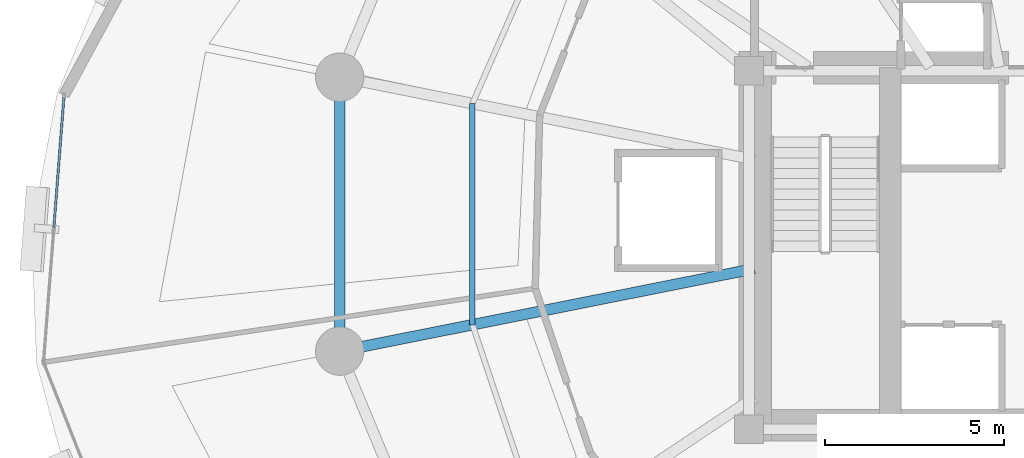
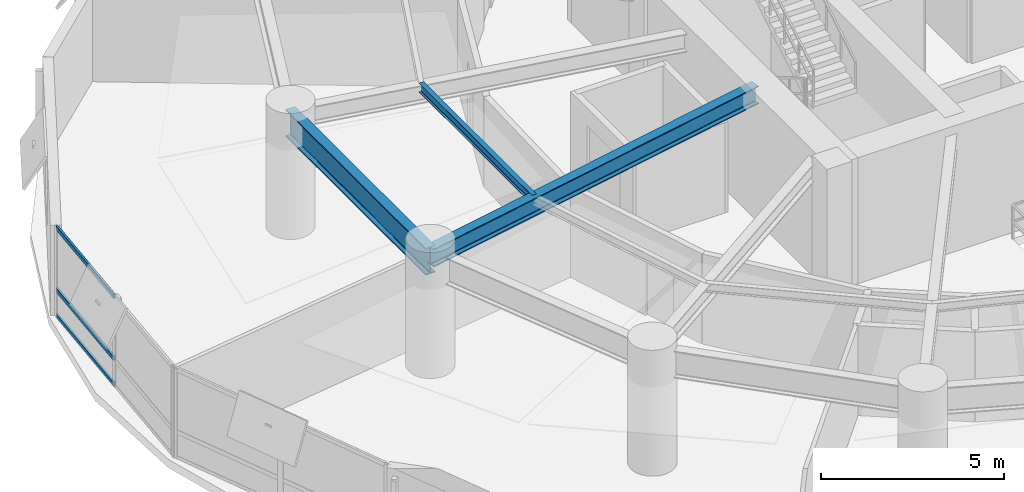
# One storey, part 5 of 17: 3 beams, 3 members, 1 element without a shape of its own.
"""IFC4 building model written with IfcOpenShell, lengths in metres."""

import ifcopenshell
import ifcopenshell.guid

model = None  # the IFC model being written
_history = None  # IfcOwnerHistory: only IFC2X3 demands one
_inside = {}  # id of a spatial element -> (the spatial element, [elements in it])
_under = {}  # id of a project, library or spatial element -> (it, [spatial elements below it])
_declared = {}  # id of a project -> (the project, [libraries it declares])
_typed = {}  # id of a type object -> (the type object, [elements of that type])
_made_of = {}  # id of a material, layer set ... -> (it, [elements and type objects made of it])


def new_model(schema):
    """Start an empty IFC model of exactly this schema.

    Asked for "IFC4X3", IfcOpenShell would pick the latest addendum, in which some entities
    have other attributes; the version numbers below select the first issue.
    IFC2X3 requires an IfcOwnerHistory on every rooted entity: one is made here for all.
    """
    global model, _history
    if schema == "IFC4X3":
        model = ifcopenshell.file(schema_version=(4, 3, 0, 0))
    else:
        model = ifcopenshell.file(schema=schema)
    _inside.clear()
    _under.clear()
    _declared.clear()
    _typed.clear()
    _made_of.clear()
    _history = None
    if model.schema == "IFC2X3":
        org = make("IfcOrganization", Name="unknown")
        user = make(
            "IfcPersonAndOrganization",
            ThePerson=make("IfcPerson", FamilyName="unknown"),
            TheOrganization=org,
        )
        app = make(
            "IfcApplication",
            ApplicationDeveloper=org,
            Version="unknown",
            ApplicationFullName="unknown",
            ApplicationIdentifier="unknown",
        )
        _history = make(
            "IfcOwnerHistory",
            OwningUser=user,
            OwningApplication=app,
            ChangeAction="ADDED",
            CreationDate=0,
        )
    return model


def make(cls, **values):
    """One entity of the class cls with the attributes given. An attribute that is None is left unset."""
    return model.create_entity(
        cls, **{name: value for name, value in values.items() if value is not None}
    )


def rooted(cls, **values):
    """An entity with a GlobalId (a new one), such as an element, a storey or a relation."""
    return make(cls, GlobalId=ifcopenshell.guid.new(), OwnerHistory=_history, **values)


def si_unit(unit_type, name, prefix=None):
    """IfcSIUnit, for example si_unit("LENGTHUNIT", "METRE", prefix="MILLI")."""
    return make("IfcSIUnit", UnitType=unit_type, Prefix=prefix, Name=name)


def assignment(units):
    """IfcUnitAssignment: the units of a project."""
    return None if units is None else make("IfcUnitAssignment", Units=units)


def point(xyz):
    """IfcCartesianPoint."""
    return None if xyz is None else make("IfcCartesianPoint", Coordinates=xyz)


def direction(xyz):
    """IfcDirection."""
    return None if xyz is None else make("IfcDirection", DirectionRatios=xyz)


def frame(location, z_axis=None, x_axis=None):
    """IfcAxis2Placement3D, a coordinate frame: its origin and axes. An axis left out is left unset."""
    return make(
        "IfcAxis2Placement3D",
        Location=point(location),
        Axis=direction(z_axis),
        RefDirection=direction(x_axis),
    )


def frame_2d(location, x_axis=None):
    """IfcAxis2Placement2D, a coordinate frame in the plane: its origin and x axis."""
    return make(
        "IfcAxis2Placement2D", Location=point(location), RefDirection=direction(x_axis)
    )


def origin():
    """The frame at (0, 0, 0) with its axes left unset."""
    return frame((0.0, 0.0, 0.0))


def origin_2d():
    """The frame at (0, 0) in the plane with its x axis left unset."""
    return frame_2d((0.0, 0.0))


def place(relative_to, where):
    """IfcLocalPlacement: puts the frame where relative to a parent placement (None: the world)."""
    return make(
        "IfcLocalPlacement", PlacementRelTo=relative_to, RelativePlacement=where
    )


def context(
    kind, dimensions, precision=None, world=None, true_north=None, identifier=None
):
    """IfcGeometricRepresentationContext, for example the 3D "Model" context."""
    return make(
        "IfcGeometricRepresentationContext",
        ContextIdentifier=identifier,
        ContextType=kind,
        CoordinateSpaceDimension=dimensions,
        Precision=precision,
        WorldCoordinateSystem=world,
        TrueNorth=true_north,
    )


def subcontext(parent, identifier, kind, view, scale=None):
    """IfcGeometricRepresentationSubContext, for example "Body" below "Model"."""
    return make(
        "IfcGeometricRepresentationSubContext",
        ContextIdentifier=identifier,
        ContextType=kind,
        ParentContext=parent,
        TargetScale=scale,
        TargetView=view,
    )


def project(units=None, contexts=None):
    """IfcProject with its units and contexts."""
    return rooted(
        "IfcProject",
        Name="project",
        RepresentationContexts=contexts,
        UnitsInContext=assignment(units),
    )


def spatial(cls, under=None, at=None, **own):
    """A site, building, storey or space (cls), placed at a placement, below another one or the project."""
    s = rooted(cls, ObjectPlacement=at, **own)
    if under is not None:
        _under.setdefault(under.id(), (under, []))[1].append(s)
    return s


def profile(cls, at=None, kind="AREA", **sizes):
    """A parametric profile (cls). Its sizes go by their IFC names, for example OverallWidth=200.0."""
    return make(cls, ProfileType=kind, Position=at, **sizes)


def hollow_rectangle(**sizes):
    """IfcRectangleHollowProfileDef."""
    return profile("IfcRectangleHollowProfileDef", **sizes)


def i_section(**sizes):
    """IfcIShapeProfileDef."""
    return profile("IfcIShapeProfileDef", **sizes)


def extrude(swept, where, along, depth):
    """IfcExtrudedAreaSolid: the profile swept, set in the frame where, extruded along a direction by depth."""
    return make(
        "IfcExtrudedAreaSolid",
        SweptArea=swept,
        Position=where,
        ExtrudedDirection=direction(along),
        Depth=depth,
    )


def shape(context_of_items, identifier, shape_type, items):
    """IfcShapeRepresentation: the items that make up one representation, for example the "Body"."""
    return make(
        "IfcShapeRepresentation",
        ContextOfItems=context_of_items,
        RepresentationIdentifier=identifier,
        RepresentationType=shape_type,
        Items=items,
    )


def material(Name=None, Category=None):
    """IfcMaterial."""
    return make("IfcMaterial", Name=Name, Category=Category)


def layer(
    of_material, thickness, ventilated=None, Name=None, Category=None, Priority=None
):
    """IfcMaterialLayer: one layer of a wall or slab, of a material (None: an air gap)."""
    return make(
        "IfcMaterialLayer",
        Material=of_material,
        LayerThickness=thickness,
        IsVentilated=ventilated,
        Name=Name,
        Category=Category,
        Priority=Priority,
    )


def layer_set(layers, Name=None):
    """IfcMaterialLayerSet."""
    return make("IfcMaterialLayerSet", MaterialLayers=layers, LayerSetName=Name)


def material_profile(
    of_material, cross_section, Name=None, Category=None, Priority=None
):
    """IfcMaterialProfile: a cross section and its material."""
    return make(
        "IfcMaterialProfile",
        Name=Name,
        Material=of_material,
        Profile=cross_section,
        Priority=Priority,
        Category=Category,
    )


def profile_set(profiles, Name=None, composite=None):
    """IfcMaterialProfileSet."""
    return make(
        "IfcMaterialProfileSet",
        Name=Name,
        MaterialProfiles=profiles,
        CompositeProfile=composite,
    )


def made_of(thing, what):
    """Note that an element or type object is made of a material, layer set ...; save() writes the relation."""
    if what is not None:
        _made_of.setdefault(what.id(), (what, []))[1].append(thing)
    return thing


def type_object(cls, material=None, **own):
    """A type object (cls), such as IfcWallType, which elements share."""
    return made_of(rooted(cls, **own), material)


def element(
    cls,
    number,
    at=None,
    inside=None,
    cuts=None,
    type_object=None,
    material=None,
    context=None,
    identifier="Body",
    shape_type=None,
    held_by="IfcProductDefinitionShape",
    body=None,
    shapes=None,
    **own,
):
    """One element of the class cls, such as IfcWall. Its Tag is "e" and its number.

    at: its placement. inside: the storey or other place that contains it. cuts: it is an
    opening in that element (IfcRelVoidsElement). A single representation is given by context,
    identifier, shape_type and body (its items); several are given by shapes. held_by: the class
    of the entity that holds the representations. save() writes the other relations.
    """
    e = rooted(cls, Tag="e%d" % number, ObjectPlacement=at, **own)
    if body is not None:
        shapes = [shape(context, identifier, shape_type, body)]
    if shapes is not None:
        e.Representation = make(held_by, Representations=shapes)
    if inside is not None:
        _inside.setdefault(inside.id(), (inside, []))[1].append(e)
    if cuts is not None:
        rooted(
            "IfcRelVoidsElement", RelatingBuildingElement=cuts, RelatedOpeningElement=e
        )
    if type_object is not None:
        _typed.setdefault(type_object.id(), (type_object, []))[1].append(e)
    return made_of(e, material)


def aggregate(whole, parts):
    """IfcRelAggregates: a whole, such as a stair, and the parts it consists of."""
    return rooted("IfcRelAggregates", RelatingObject=whole, RelatedObjects=parts)


def save(model, path):
    """Write the relations noted so far, then the file.

    IfcRelAggregates (storeys below a building ...), IfcRelContainedInSpatialStructure (elements
    in a storey), IfcRelDefinesByType, IfcRelAssociatesMaterial and IfcRelDeclares: one each for
    every whole, place, type object, material and project.
    """
    for whole, parts in _under.values():
        aggregate(whole, parts)
    for where, things in _inside.values():
        rooted(
            "IfcRelContainedInSpatialStructure",
            RelatedElements=things,
            RelatingStructure=where,
        )
    for kind, things in _typed.values():
        rooted("IfcRelDefinesByType", RelatedObjects=things, RelatingType=kind)
    for what, things in _made_of.values():
        rooted("IfcRelAssociatesMaterial", RelatedObjects=things, RelatingMaterial=what)
    for by, libraries in _declared.values():
        rooted("IfcRelDeclares", RelatingContext=by, RelatedDefinitions=libraries)
    model.write(path)


model = new_model("IFC4")

# Units and contexts
model_context = context("Model", 3, precision=1e-05, world=origin(), true_north=direction((0.0, 1.0)))
body_context = subcontext(model_context, "Body", "Model", "MODEL_VIEW")
ifc_project = project(units=[si_unit("LENGTHUNIT", "METRE"), si_unit("AREAUNIT", "SQUARE_METRE"), si_unit("VOLUMEUNIT", "CUBIC_METRE"), si_unit("PLANEANGLEUNIT", "RADIAN"), si_unit("MASSUNIT", "GRAM", prefix="KILO"), si_unit("THERMODYNAMICTEMPERATUREUNIT", "KELVIN"), si_unit("POWERUNIT", "WATT")], contexts=[model_context])

# Site, building, storey
site_placement = place(None, origin())
site = spatial("IfcSite", under=ifc_project, at=site_placement, CompositionType="ELEMENT")
building_placement = place(site_placement, origin())
building = spatial("IfcBuilding", under=site, at=building_placement, Name="Ocrelia Relay Tower", CompositionType="ELEMENT")
storey_placement = place(building_placement, frame((0.0, 0.0, 67.800048828125)))
storey = spatial("IfcBuildingStorey", under=building, at=storey_placement, Name="L15", CompositionType="ELEMENT", Elevation=67.800048828125)

# Beams
ifc_material_1 = material(Name="Steel S355", Category="steel")
ifc_material_profile_1 = material_profile(ifc_material_1, i_section(OverallWidth=0.300048828125, OverallDepth=0.60009765625, WebThickness=0.015380859375, FlangeThickness=0.030029296875, FilletRadius=0.027099609375, at=origin_2d()), Name="HEB 600")
ifc_profile_set_1 = profile_set([ifc_material_profile_1], Name="Steel S355")
beam_type_1 = type_object("IfcBeamType", Name="BM-HEB600", PredefinedType="BEAM", material=ifc_profile_set_1)
beam_1_placement = place(storey_placement, frame((14.776611328125, 22.17626953125, 3.619873046875), z_axis=(0.980786938484, 0.195081986098, 0.0), x_axis=(-0.195081986098, 0.980786938484, 0.0)))
element("IfcBeam", 1, at=beam_1_placement, inside=storey, type_object=beam_type_1, Name="L15 Radial Floor Girder R09", PredefinedType="BEAM", context=body_context, shape_type="SweptSolid", body=[
    extrude(i_section(OverallWidth=0.300048828125, OverallDepth=0.60009765625, WebThickness=0.015380859375, FlangeThickness=0.030029296875, FilletRadius=0.027099609375, at=origin_2d()), origin(), (0.0, 0.0, 1.0), 11.80517578125),
])
ifc_material_profile_2 = material_profile(ifc_material_1, i_section(OverallWidth=0.300048828125, OverallDepth=0.89990234375, WebThickness=0.0185546875, FlangeThickness=0.034912109375, FilletRadius=0.030029296875, at=origin_2d()), Name="HEB 900")
ifc_profile_set_2 = profile_set([ifc_material_profile_2], Name="Steel S355")
beam_type_2 = type_object("IfcBeamType", Name="BM-HEB900", PredefinedType="BEAM", material=ifc_profile_set_2)
beam_2_placement = place(storey_placement, frame((14.776611328125, 29.82373046875, 3.469970703125), z_axis=(0.0, -1.0, 0.0), x_axis=(1.0, 0.0, 0.0)))
element("IfcBeam", 2, at=beam_2_placement, inside=storey, type_object=beam_type_2, Name="L15 Perimeter Spandrel Beam S08", PredefinedType="BEAM", context=body_context, shape_type="SweptSolid", body=[
    extrude(i_section(OverallWidth=0.300048828125, OverallDepth=0.89990234375, WebThickness=0.0185546875, FlangeThickness=0.034912109375, FilletRadius=0.030029296875, at=origin_2d()), origin(), (0.0, 0.0, 1.0), 7.6474609375),
])
ifc_material_profile_3 = material_profile(ifc_material_1, i_section(OverallWidth=0.14990234375, OverallDepth=0.300048828125, WebThickness=0.007080078125, FlangeThickness=0.0107421875, FilletRadius=0.014892578125, at=origin_2d()), Name="IPE 300")
ifc_profile_set_3 = profile_set([ifc_material_profile_3], Name="Steel S355")
beam_type_3 = type_object("IfcBeamType", Name="BM-IPE300", PredefinedType="JOIST", material=ifc_profile_set_3)
beam_3_placement = place(storey_placement, frame((18.481689453125, 29.0869140625, 3.77001953125), z_axis=(0.0, -1.0, 0.0), x_axis=(1.0, 0.0, 0.0)))
element("IfcBeam", 3, at=beam_3_placement, inside=storey, type_object=beam_type_3, Name="L15 Secondary Floor Joist J08", PredefinedType="JOIST", context=body_context, shape_type="SweptSolid", body=[
    extrude(i_section(OverallWidth=0.14990234375, OverallDepth=0.300048828125, WebThickness=0.007080078125, FlangeThickness=0.0107421875, FilletRadius=0.014892578125, at=origin_2d()), origin(), (0.0, 0.0, 1.0), 6.173828125),
])

# Curtain wall, members
ifc_material_2 = material(Name="Aluminium and solar-control low-E glass", Category="aluminium")
ifc_layer = layer(ifc_material_2, 0.179931640625, Name="Aluminium and solar-control low-E glass")
ifc_layer_set = layer_set([ifc_layer], Name="Aluminium and solar-control low-E glass")
curtain_wall_type = type_object("IfcCurtainWallType", Name="CW-SYS-Z1-DATA", PredefinedType="NOTDEFINED", material=ifc_layer_set)
curtain_wall_placement = place(storey_placement, origin())
curtain_wall = element("IfcCurtainWall", 4, at=curtain_wall_placement, inside=storey, type_object=curtain_wall_type, Name="L15 Elliptical Tower Curtain Wall Bay 09", PredefinedType="NOTDEFINED")
ifc_material_3 = material(Name="Anodised bronze aluminium", Category="aluminium")
ifc_material_profile_4 = material_profile(ifc_material_3, hollow_rectangle(XDim=0.06494140625, YDim=0.139892578125, WallThickness=0.0048828125, at=origin_2d()), Name="CW-TRN-140x65")
ifc_profile_set_4 = profile_set([ifc_material_profile_4], Name="Anodised bronze aluminium")
member_type = type_object("IfcMemberType", Name="CW-SYS-Z1-DATA-TRN", PredefinedType="USERDEFINED", material=ifc_profile_set_4)
member_1_placement = place(storey_placement, frame((7.078369140625, 29.25048828125, 0.032470703125), z_axis=(-0.076881506537, -0.997040236877, 0.0), x_axis=(0.997040236877, -0.076881506537, 0.0)))
member_1 = element("IfcMember", 5, at=member_1_placement, type_object=member_type, Name="CW-Z1 transom 1.1", ObjectType="TRANSOM", PredefinedType="USERDEFINED", context=body_context, shape_type="SweptSolid", body=[
    extrude(hollow_rectangle(XDim=0.06494140625, YDim=0.139892578125, WallThickness=0.0048828125, at=origin_2d()), origin(), (0.0, 0.0, 1.0), 3.6328125),
])
member_2_placement = place(storey_placement, frame((7.078369140625, 29.25048828125, 0.89990234375), z_axis=(-0.076881506537, -0.997040236877, 0.0), x_axis=(0.997040236877, -0.076881506537, 0.0)))
member_2 = element("IfcMember", 6, at=member_2_placement, type_object=member_type, Name="CW-Z1 transom 1.2", ObjectType="TRANSOM", PredefinedType="USERDEFINED", context=body_context, shape_type="SweptSolid", body=[
    extrude(hollow_rectangle(XDim=0.06494140625, YDim=0.139892578125, WallThickness=0.0048828125, at=origin_2d()), origin(), (0.0, 0.0, 1.0), 3.6328125),
])
member_3_placement = place(storey_placement, frame((7.078369140625, 29.25048828125, 2.967529296875), z_axis=(-0.076881506537, -0.997040236877, 0.0), x_axis=(0.997040236877, -0.076881506537, 0.0)))
member_3 = element("IfcMember", 7, at=member_3_placement, type_object=member_type, Name="CW-Z1 transom 1.3", ObjectType="TRANSOM", PredefinedType="USERDEFINED", context=body_context, shape_type="SweptSolid", body=[
    extrude(hollow_rectangle(XDim=0.06494140625, YDim=0.139892578125, WallThickness=0.0048828125, at=origin_2d()), origin(), (0.0, 0.0, 1.0), 3.6328125),
])
aggregate(curtain_wall, [member_1, member_2, member_3])

save(model, "model.ifc")
